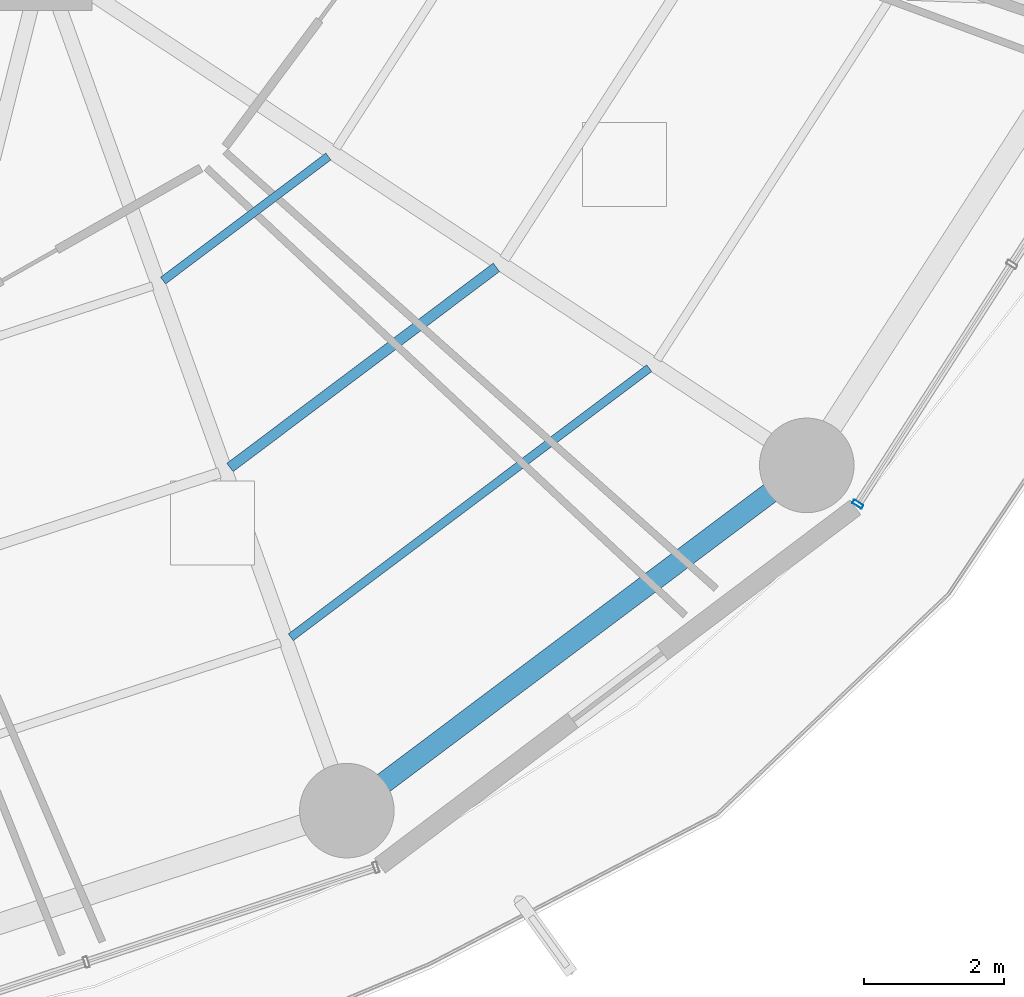
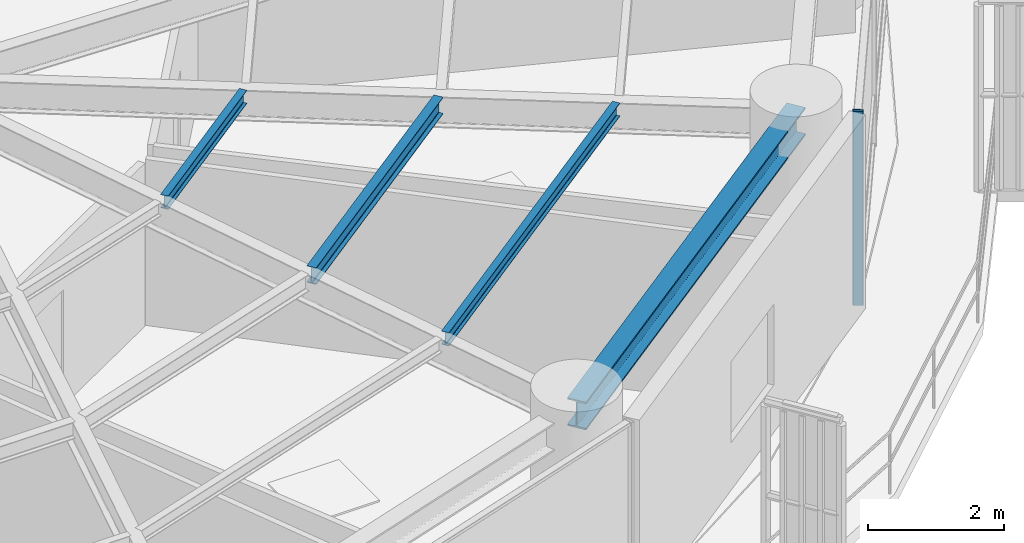
# One storey, part 11 of 35: 4 beams, 1 member, 1 element without a shape of its own.
"""IFC4 building model written with IfcOpenShell, lengths in metres."""

from ifc_helpers import new_model, si_unit, direction, frame, origin, origin_2d, place, context, subcontext, project, spatial, hollow_rectangle, i_section, extrude, material, layer, layer_set, material_profile, profile_set, type_object, element, aggregate, save


model = new_model("IFC4")

# Units and contexts
model_context = context("Model", 3, precision=1e-05, world=origin(), true_north=direction((0.0, 1.0)))
body_context = subcontext(model_context, "Body", "Model", "MODEL_VIEW")
ifc_project = project(units=[si_unit("LENGTHUNIT", "METRE"), si_unit("AREAUNIT", "SQUARE_METRE"), si_unit("VOLUMEUNIT", "CUBIC_METRE"), si_unit("PLANEANGLEUNIT", "RADIAN"), si_unit("MASSUNIT", "GRAM", prefix="KILO")], contexts=[model_context])

# Site, building, storey
site_placement = place(None, origin())
site = spatial("IfcSite", under=ifc_project, at=site_placement, CompositionType="ELEMENT")
building_placement = place(site_placement, origin())
building = spatial("IfcBuilding", under=site, at=building_placement, Name="Kelanora Arch Commons", CompositionType="ELEMENT")
storey_placement = place(building_placement, frame((0.0, 0.0, 91.35009765625)))
storey = spatial("IfcBuildingStorey", under=building, at=storey_placement, Name="L23", CompositionType="ELEMENT", Elevation=91.35009765625)

# Beams
ifc_material_1 = material(Name="Steel S355", Category="steel")
ifc_material_profile_1 = material_profile(ifc_material_1, i_section(OverallWidth=0.14990234375, OverallDepth=0.300048828125, WebThickness=0.007080078125, FlangeThickness=0.0107421875, FilletRadius=0.014892578125, at=origin_2d()), Name="IPE300")
ifc_profile_set_1 = profile_set([ifc_material_profile_1], Name="Steel S355")
beam_type_1 = type_object("IfcBeamType", Name="BM-JST-01", PredefinedType="JOIST", material=ifc_profile_set_1)
beam_1_placement = place(storey_placement, frame((84.672119140625, 43.77783203125, 3.33984375), z_axis=(0.79971039107, 0.600385951214, 0.0), x_axis=(-0.600385951214, 0.79971039107, 0.0)))
element("IfcBeam", 1, at=beam_1_placement, inside=storey, type_object=beam_type_1, Name="Secondary Chord Joist BJB-30 L23", PredefinedType="JOIST", context=body_context, shape_type="SweptSolid", body=[
    extrude(i_section(OverallWidth=0.14990234375, OverallDepth=0.300048828125, WebThickness=0.007080078125, FlangeThickness=0.0107421875, FilletRadius=0.014892578125, at=origin_2d()), origin(), (0.0, 0.0, 1.0), 4.756103515625),
])
ifc_material_profile_2 = material_profile(ifc_material_1, i_section(OverallWidth=0.1201171875, OverallDepth=0.239990234375, WebThickness=0.006103515625, FlangeThickness=0.009765625, FilletRadius=0.014892578125, at=origin_2d()), Name="IPE240")
ifc_profile_set_2 = profile_set([ifc_material_profile_2], Name="Steel S355")
beam_type_2 = type_object("IfcBeamType", Name="BM-JST-02", PredefinedType="JOIST", material=ifc_profile_set_2)
beam_2_placement = place(storey_placement, frame((83.71728515625, 46.444580078125, 3.369873046875), z_axis=(0.799692034361, 0.600410401458, 0.0), x_axis=(-0.600410401458, 0.799692034361, 0.0)))
element("IfcBeam", 2, at=beam_2_placement, inside=storey, type_object=beam_type_2, Name="Secondary Chord Joist BJA-30 L23", PredefinedType="JOIST", context=body_context, shape_type="SweptSolid", body=[
    extrude(i_section(OverallWidth=0.1201171875, OverallDepth=0.239990234375, WebThickness=0.006103515625, FlangeThickness=0.009765625, FilletRadius=0.014892578125, at=origin_2d()), origin(), (0.0, 0.0, 1.0), 2.949951171875),
])
beam_3_placement = place(storey_placement, frame((85.5400390625, 41.353515625, 3.369873046875), z_axis=(0.799734335646, 0.600354055861, 0.0), x_axis=(-0.600354055861, 0.799734335646, 0.0)))
element("IfcBeam", 3, at=beam_3_placement, inside=storey, type_object=beam_type_2, Name="Secondary Chord Joist BJC-30 L23", PredefinedType="JOIST", context=body_context, shape_type="SweptSolid", body=[
    extrude(i_section(OverallWidth=0.1201171875, OverallDepth=0.239990234375, WebThickness=0.006103515625, FlangeThickness=0.009765625, FilletRadius=0.014892578125, at=origin_2d()), origin(), (0.0, 0.0, 1.0), 6.39794921875),
])
ifc_material_profile_3 = material_profile(ifc_material_1, i_section(OverallWidth=0.300048828125, OverallDepth=0.5, WebThickness=0.014404296875, FlangeThickness=0.028076171875, FilletRadius=0.027099609375, at=origin_2d()), Name="HEB500")
ifc_profile_set_3 = profile_set([ifc_material_profile_3], Name="Steel S355")
beam_type_3 = type_object("IfcBeamType", Name="BM-SPN-Z2", PredefinedType="SPANDREL", material=ifc_profile_set_3)
beam_4_placement = place(storey_placement, frame((86.340087890625, 38.878173828125, 3.239990234375), z_axis=(0.799735861602, 0.600352023123, 0.0), x_axis=(-0.600352023123, 0.799735861602, 0.0)))
element("IfcBeam", 4, at=beam_4_placement, inside=storey, type_object=beam_type_3, Name="Perimeter Spandrel Beam BS-30 L23", PredefinedType="SPANDREL", context=body_context, shape_type="SweptSolid", body=[
    extrude(i_section(OverallWidth=0.300048828125, OverallDepth=0.5, WebThickness=0.014404296875, FlangeThickness=0.028076171875, FilletRadius=0.027099609375, at=origin_2d()), origin(), (0.0, 0.0, 1.0), 8.210205078125),
])

# Curtain wall, member
ifc_material_2 = material(Name="Terracotta ceramic-fritted low-E glass and aluminium", Category="masonry")
ifc_layer = layer(ifc_material_2, 0.159912109375)
ifc_layer_set = layer_set([ifc_layer], Name="Terracotta ceramic-fritted low-E glass and aluminium")
curtain_wall_type = type_object("IfcCurtainWallType", Name="CW-SYS-01", PredefinedType="NOTDEFINED", material=ifc_layer_set)
curtain_wall_placement = place(storey_placement, origin())
curtain_wall = element("IfcCurtainWall", 5, at=curtain_wall_placement, inside=storey, type_object=curtain_wall_type, Name="Unitised Curtain Wall L23-B16", PredefinedType="NOTDEFINED")
ifc_material_3 = material(Name="Powder-coated aluminium terracotta", Category="masonry")
ifc_material_profile_4 = material_profile(ifc_material_3, hollow_rectangle(XDim=0.159912109375, YDim=0.06005859375, WallThickness=0.0048828125, InnerFilletRadius=0.0048828125, OuterFilletRadius=0.010009765625, at=origin_2d()), Name="CWM160x60")
ifc_profile_set_4 = profile_set([ifc_material_profile_4], Name="Powder-coated aluminium terracotta")
member_type = type_object("IfcMemberType", Name="CWM-STD", PredefinedType="MULLION", material=ifc_profile_set_4)
member_placement = place(storey_placement, frame((93.635009765625, 43.253662109375, 0.0), z_axis=(0.0, 0.0, 1.0), x_axis=(-0.841268883088, 0.540616931244, 0.0)))
member = element("IfcMember", 6, at=member_placement, type_object=member_type, Name="CW-01 mullion 1", PredefinedType="MULLION", context=body_context, shape_type="SweptSolid", body=[
    extrude(hollow_rectangle(XDim=0.159912109375, YDim=0.06005859375, WallThickness=0.0048828125, InnerFilletRadius=0.0048828125, OuterFilletRadius=0.010009765625, at=origin_2d()), origin(), (0.0, 0.0, 1.0), 3.474853515625),
])
aggregate(curtain_wall, [member])

save(model, "model.ifc")
